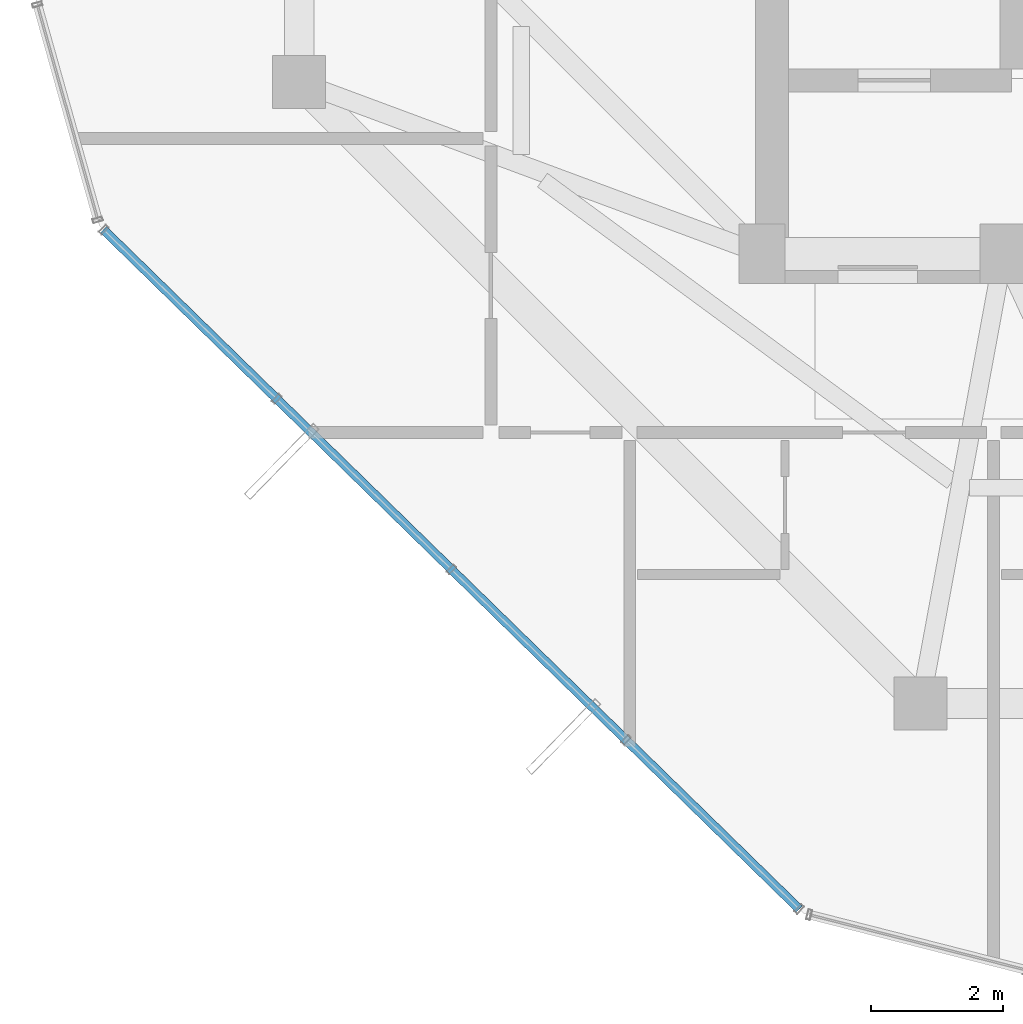
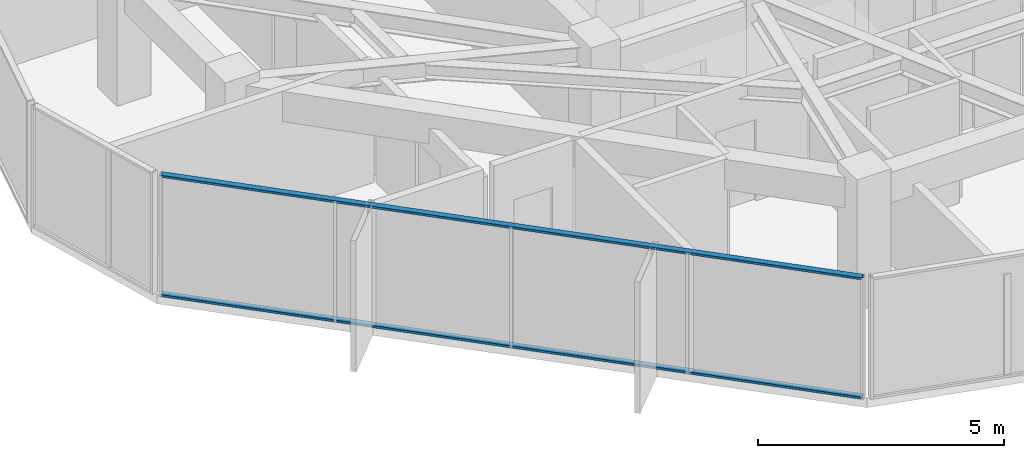
# One storey, part 3 of 29: 2 members, 1 element without a shape of its own.
"""IFC4 building model written with IfcOpenShell, lengths in metres."""

from ifc_helpers import new_model, si_unit, direction, frame, origin, origin_2d, place, context, subcontext, project, spatial, hollow_rectangle, extrude, source, transform, mapped, material, layer, layer_set, material_profile, profile_set, type_object, element, aggregate, save


model = new_model("IFC4")

# Units and contexts
model_context = context("Model", 3, precision=1e-05, world=origin(), true_north=direction((0.0, 1.0)))
body_context = subcontext(model_context, "Body", "Model", "MODEL_VIEW")
ifc_project = project(units=[si_unit("LENGTHUNIT", "METRE"), si_unit("AREAUNIT", "SQUARE_METRE"), si_unit("VOLUMEUNIT", "CUBIC_METRE"), si_unit("PLANEANGLEUNIT", "RADIAN"), si_unit("MASSUNIT", "GRAM", prefix="KILO")], contexts=[model_context])

# Site, building, storey
site_placement = place(None, origin())
site = spatial("IfcSite", under=ifc_project, at=site_placement, CompositionType="ELEMENT")
building_placement = place(site_placement, origin())
building = spatial("IfcBuilding", under=site, at=building_placement, Name="Veraguas Prism Commons", CompositionType="ELEMENT")
storey_placement = place(building_placement, frame((0.0, 0.0, 257.75)))
storey = spatial("IfcBuildingStorey", under=building, at=storey_placement, Name="L73", CompositionType="ELEMENT", Elevation=257.75)

# Curtain wall, members
ifc_material = material(Name="Anodised aluminium EN AW-6063 T6", Category="aluminium")
ifc_layer = layer(ifc_material, 0.14990234375, Name="Unitised Flush Curtain Wall Zone 4", Category="aluminium")
ifc_layer_set = layer_set([ifc_layer], Name="Anodised aluminium EN AW-6063 T6")
curtain_wall_type = type_object("IfcCurtainWallType", Name="Unitised Flush Curtain Wall Zone 4", PredefinedType="NOTDEFINED", material=ifc_layer_set)
curtain_wall_placement = place(storey_placement, origin())
curtain_wall = element("IfcCurtainWall", 1, at=curtain_wall_placement, inside=storey, type_object=curtain_wall_type, Name="Tower Facade Curtain Wall L73-F4", PredefinedType="NOTDEFINED")
ifc_material_profile = material_profile(ifc_material, hollow_rectangle(XDim=0.054931640625, YDim=0.135009765625, WallThickness=0.0029296875, at=origin_2d()), Name="AL55X135X3")
ifc_profile_set = profile_set([ifc_material_profile], Name="Anodised aluminium EN AW-6063 T6")
member_type = type_object("IfcMemberType", Name="Curtain Wall Transom Standard AL 55x135x3", PredefinedType="USERDEFINED", material=ifc_profile_set)
shared_shape = source(origin(), body_context, "Body", "SweptSolid", [
    extrude(hollow_rectangle(XDim=0.054931640625, YDim=0.135009765625, WallThickness=0.0029296875, at=origin_2d()), origin(), (0.0, 0.0, 1.0), 14.70654296875),
])
member_1_placement = place(storey_placement, frame((7.242919921875, 17.365234375, 0.027587890625), z_axis=(0.715448735913, -0.69866523191, 0.0), x_axis=(0.0, 0.0, 1.0)))
member_1 = element("IfcMember", 2, at=member_1_placement, type_object=member_type, Name="CW-Z4 Transom 1", ObjectType="TRANSOM", PredefinedType="USERDEFINED", context=body_context, shape_type="MappedRepresentation", body=[
    mapped(shared_shape, transform((0.0, 0.0, 0.0), scale=1.0)),
])
member_2_placement = place(storey_placement, frame((7.242919921875, 17.365234375, 2.987548828125), z_axis=(0.715448735913, -0.69866523191, 0.0), x_axis=(0.0, 0.0, 1.0)))
member_2 = element("IfcMember", 3, at=member_2_placement, type_object=member_type, Name="CW-Z4 Transom 2", ObjectType="TRANSOM", PredefinedType="USERDEFINED", context=body_context, shape_type="MappedRepresentation", body=[
    mapped(shared_shape, transform((0.0, 0.0, 0.0), scale=1.0)),
])
aggregate(curtain_wall, [member_1, member_2])

save(model, "model.ifc")
